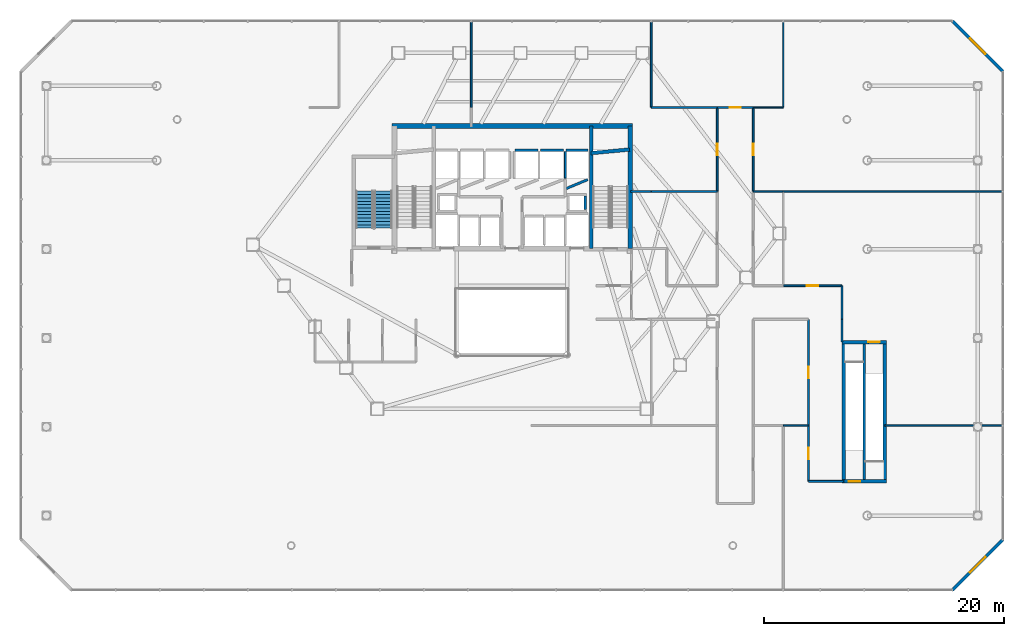
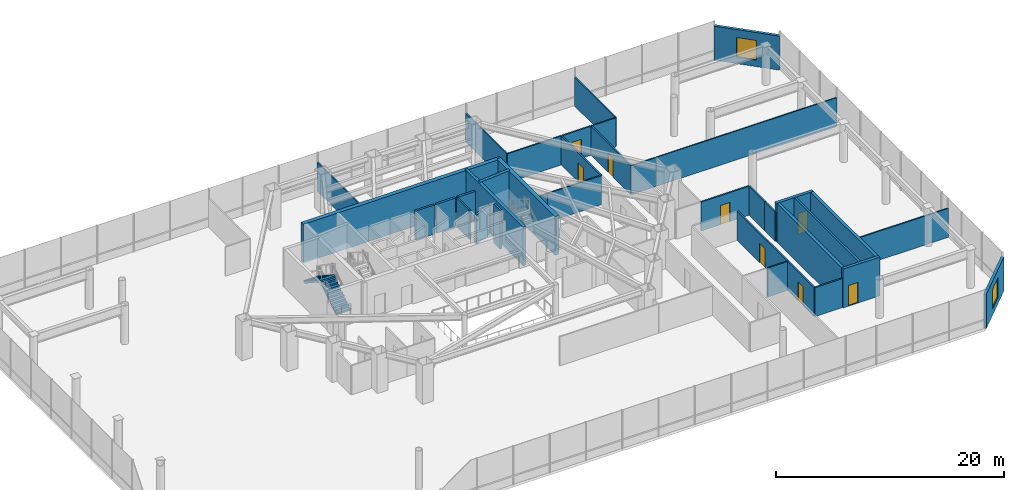
# One storey, part 40 of 43: 37 walls, 8 doors, 2 stair flights, 2 windows, 10 openings, 1 element without a shape of its own.
"""IFC4 building model written with IfcOpenShell, lengths in metres."""

import ifcopenshell
import ifcopenshell.guid

model = None  # the IFC model being written
_history = None  # IfcOwnerHistory: only IFC2X3 demands one
_inside = {}  # id of a spatial element -> (the spatial element, [elements in it])
_under = {}  # id of a project, library or spatial element -> (it, [spatial elements below it])
_declared = {}  # id of a project -> (the project, [libraries it declares])
_typed = {}  # id of a type object -> (the type object, [elements of that type])
_made_of = {}  # id of a material, layer set ... -> (it, [elements and type objects made of it])


def new_model(schema):
    """Start an empty IFC model of exactly this schema.

    Asked for "IFC4X3", IfcOpenShell would pick the latest addendum, in which some entities
    have other attributes; the version numbers below select the first issue.
    IFC2X3 requires an IfcOwnerHistory on every rooted entity: one is made here for all.
    """
    global model, _history
    if schema == "IFC4X3":
        model = ifcopenshell.file(schema_version=(4, 3, 0, 0))
    else:
        model = ifcopenshell.file(schema=schema)
    _inside.clear()
    _under.clear()
    _declared.clear()
    _typed.clear()
    _made_of.clear()
    _history = None
    if model.schema == "IFC2X3":
        org = make("IfcOrganization", Name="unknown")
        user = make(
            "IfcPersonAndOrganization",
            ThePerson=make("IfcPerson", FamilyName="unknown"),
            TheOrganization=org,
        )
        app = make(
            "IfcApplication",
            ApplicationDeveloper=org,
            Version="unknown",
            ApplicationFullName="unknown",
            ApplicationIdentifier="unknown",
        )
        _history = make(
            "IfcOwnerHistory",
            OwningUser=user,
            OwningApplication=app,
            ChangeAction="ADDED",
            CreationDate=0,
        )
    return model


def make(cls, **values):
    """One entity of the class cls with the attributes given. An attribute that is None is left unset."""
    return model.create_entity(
        cls, **{name: value for name, value in values.items() if value is not None}
    )


def rooted(cls, **values):
    """An entity with a GlobalId (a new one), such as an element, a storey or a relation."""
    return make(cls, GlobalId=ifcopenshell.guid.new(), OwnerHistory=_history, **values)


def si_unit(unit_type, name, prefix=None):
    """IfcSIUnit, for example si_unit("LENGTHUNIT", "METRE", prefix="MILLI")."""
    return make("IfcSIUnit", UnitType=unit_type, Prefix=prefix, Name=name)


def assignment(units):
    """IfcUnitAssignment: the units of a project."""
    return None if units is None else make("IfcUnitAssignment", Units=units)


def point(xyz):
    """IfcCartesianPoint."""
    return None if xyz is None else make("IfcCartesianPoint", Coordinates=xyz)


def direction(xyz):
    """IfcDirection."""
    return None if xyz is None else make("IfcDirection", DirectionRatios=xyz)


def frame(location, z_axis=None, x_axis=None):
    """IfcAxis2Placement3D, a coordinate frame: its origin and axes. An axis left out is left unset."""
    return make(
        "IfcAxis2Placement3D",
        Location=point(location),
        Axis=direction(z_axis),
        RefDirection=direction(x_axis),
    )


def frame_2d(location, x_axis=None):
    """IfcAxis2Placement2D, a coordinate frame in the plane: its origin and x axis."""
    return make(
        "IfcAxis2Placement2D", Location=point(location), RefDirection=direction(x_axis)
    )


def origin():
    """The frame at (0, 0, 0) with its axes left unset."""
    return frame((0.0, 0.0, 0.0))


def place(relative_to, where):
    """IfcLocalPlacement: puts the frame where relative to a parent placement (None: the world)."""
    return make(
        "IfcLocalPlacement", PlacementRelTo=relative_to, RelativePlacement=where
    )


def context(
    kind, dimensions, precision=None, world=None, true_north=None, identifier=None
):
    """IfcGeometricRepresentationContext, for example the 3D "Model" context."""
    return make(
        "IfcGeometricRepresentationContext",
        ContextIdentifier=identifier,
        ContextType=kind,
        CoordinateSpaceDimension=dimensions,
        Precision=precision,
        WorldCoordinateSystem=world,
        TrueNorth=true_north,
    )


def subcontext(parent, identifier, kind, view, scale=None):
    """IfcGeometricRepresentationSubContext, for example "Body" below "Model"."""
    return make(
        "IfcGeometricRepresentationSubContext",
        ContextIdentifier=identifier,
        ContextType=kind,
        ParentContext=parent,
        TargetScale=scale,
        TargetView=view,
    )


def project(units=None, contexts=None):
    """IfcProject with its units and contexts."""
    return rooted(
        "IfcProject",
        Name="project",
        RepresentationContexts=contexts,
        UnitsInContext=assignment(units),
    )


def spatial(cls, under=None, at=None, **own):
    """A site, building, storey or space (cls), placed at a placement, below another one or the project."""
    s = rooted(cls, ObjectPlacement=at, **own)
    if under is not None:
        _under.setdefault(under.id(), (under, []))[1].append(s)
    return s


def polyline(points):
    """IfcPolyline through the points."""
    return make("IfcPolyline", Points=[point(p) for p in points])


def profile(cls, at=None, kind="AREA", **sizes):
    """A parametric profile (cls). Its sizes go by their IFC names, for example OverallWidth=200.0."""
    return make(cls, ProfileType=kind, Position=at, **sizes)


def rectangle(**sizes):
    """IfcRectangleProfileDef."""
    return profile("IfcRectangleProfileDef", **sizes)


def outline(outer, holes=None, kind="AREA"):
    """IfcArbitraryClosedProfileDef: a profile drawn as a closed curve; with holes, ...WithVoids."""
    if holes is None:
        return make("IfcArbitraryClosedProfileDef", ProfileType=kind, OuterCurve=outer)
    return make(
        "IfcArbitraryProfileDefWithVoids",
        ProfileType=kind,
        OuterCurve=outer,
        InnerCurves=holes,
    )


def extrude(swept, where, along, depth):
    """IfcExtrudedAreaSolid: the profile swept, set in the frame where, extruded along a direction by depth."""
    return make(
        "IfcExtrudedAreaSolid",
        SweptArea=swept,
        Position=where,
        ExtrudedDirection=direction(along),
        Depth=depth,
    )


def shape(context_of_items, identifier, shape_type, items):
    """IfcShapeRepresentation: the items that make up one representation, for example the "Body"."""
    return make(
        "IfcShapeRepresentation",
        ContextOfItems=context_of_items,
        RepresentationIdentifier=identifier,
        RepresentationType=shape_type,
        Items=items,
    )


def material(Name=None, Category=None):
    """IfcMaterial."""
    return make("IfcMaterial", Name=Name, Category=Category)


def layer(
    of_material, thickness, ventilated=None, Name=None, Category=None, Priority=None
):
    """IfcMaterialLayer: one layer of a wall or slab, of a material (None: an air gap)."""
    return make(
        "IfcMaterialLayer",
        Material=of_material,
        LayerThickness=thickness,
        IsVentilated=ventilated,
        Name=Name,
        Category=Category,
        Priority=Priority,
    )


def layer_set(layers, Name=None):
    """IfcMaterialLayerSet."""
    return make("IfcMaterialLayerSet", MaterialLayers=layers, LayerSetName=Name)


def made_of(thing, what):
    """Note that an element or type object is made of a material, layer set ...; save() writes the relation."""
    if what is not None:
        _made_of.setdefault(what.id(), (what, []))[1].append(thing)
    return thing


def type_object(cls, material=None, **own):
    """A type object (cls), such as IfcWallType, which elements share."""
    return made_of(rooted(cls, **own), material)


def element(
    cls,
    number,
    at=None,
    inside=None,
    cuts=None,
    type_object=None,
    material=None,
    context=None,
    identifier="Body",
    shape_type=None,
    held_by="IfcProductDefinitionShape",
    body=None,
    shapes=None,
    **own,
):
    """One element of the class cls, such as IfcWall. Its Tag is "e" and its number.

    at: its placement. inside: the storey or other place that contains it. cuts: it is an
    opening in that element (IfcRelVoidsElement). A single representation is given by context,
    identifier, shape_type and body (its items); several are given by shapes. held_by: the class
    of the entity that holds the representations. save() writes the other relations.
    """
    e = rooted(cls, Tag="e%d" % number, ObjectPlacement=at, **own)
    if body is not None:
        shapes = [shape(context, identifier, shape_type, body)]
    if shapes is not None:
        e.Representation = make(held_by, Representations=shapes)
    if inside is not None:
        _inside.setdefault(inside.id(), (inside, []))[1].append(e)
    if cuts is not None:
        rooted(
            "IfcRelVoidsElement", RelatingBuildingElement=cuts, RelatedOpeningElement=e
        )
    if type_object is not None:
        _typed.setdefault(type_object.id(), (type_object, []))[1].append(e)
    return made_of(e, material)


def fill(opening, filler):
    """IfcRelFillsElement: the door or window that sits in an opening."""
    return rooted(
        "IfcRelFillsElement",
        RelatingOpeningElement=opening,
        RelatedBuildingElement=filler,
    )


def aggregate(whole, parts):
    """IfcRelAggregates: a whole, such as a stair, and the parts it consists of."""
    return rooted("IfcRelAggregates", RelatingObject=whole, RelatedObjects=parts)


def save(model, path):
    """Write the relations noted so far, then the file.

    IfcRelAggregates (storeys below a building ...), IfcRelContainedInSpatialStructure (elements
    in a storey), IfcRelDefinesByType, IfcRelAssociatesMaterial and IfcRelDeclares: one each for
    every whole, place, type object, material and project.
    """
    for whole, parts in _under.values():
        aggregate(whole, parts)
    for where, things in _inside.values():
        rooted(
            "IfcRelContainedInSpatialStructure",
            RelatedElements=things,
            RelatingStructure=where,
        )
    for kind, things in _typed.values():
        rooted("IfcRelDefinesByType", RelatedObjects=things, RelatingType=kind)
    for what, things in _made_of.values():
        rooted("IfcRelAssociatesMaterial", RelatedObjects=things, RelatingMaterial=what)
    for by, libraries in _declared.values():
        rooted("IfcRelDeclares", RelatingContext=by, RelatedDefinitions=libraries)
    model.write(path)


model = new_model("IFC4")

# Units and contexts
model_context = context("Model", 3, precision=1e-05, world=origin(), true_north=direction((0.0, 1.0)))
body_context = subcontext(model_context, "Body", "Model", "MODEL_VIEW")
ifc_project = project(units=[si_unit("LENGTHUNIT", "METRE"), si_unit("AREAUNIT", "SQUARE_METRE"), si_unit("VOLUMEUNIT", "CUBIC_METRE"), si_unit("PLANEANGLEUNIT", "RADIAN"), si_unit("MASSUNIT", "GRAM", prefix="KILO")], contexts=[model_context])

# Site, building, storey
site_placement = place(None, origin())
site = spatial("IfcSite", under=ifc_project, at=site_placement, CompositionType="ELEMENT")
building_placement = place(site_placement, origin())
building = spatial("IfcBuilding", under=site, at=building_placement, Name="Zarrinselat Tower", CompositionType="ELEMENT")
storey_placement = place(building_placement, frame((0.0, 0.0, 5.10009765625)))
storey = spatial("IfcBuildingStorey", under=building, at=storey_placement, Name="L01", CompositionType="ELEMENT", Elevation=5.10009765625)

# Wall, opening, window
ifc_material_1 = material(Name="Honed Cream Travertine Stone", Category="masonry")
ifc_layer_1 = layer(ifc_material_1, 0.260009765625)
ifc_layer_set_1 = layer_set([ifc_layer_1], Name="Honed Cream Travertine Stone")
wall_type_1 = type_object("IfcWallType", Name="WAL-EXT-STONE-260", PredefinedType="STANDARD", material=ifc_layer_set_1)
wall_1_placement = place(storey_placement, frame((75.10009765625, 4.800048828125, 0.0), z_axis=(0.0, 0.0, 1.0), x_axis=(0.707106781187, 0.707106781187, 0.0)))
wall_1 = element("IfcWall", 1, at=wall_1_placement, inside=storey, type_object=wall_type_1, Name="L01 Chamfered Stone Corner Wall 1", PredefinedType="STANDARD", context=body_context, shape_type="SweptSolid", body=[
    extrude(rectangle(XDim=5.939697265625, YDim=0.260009765625, at=frame_2d((2.9697265625, 0.0))), origin(), (0.0, 0.0, 1.0), 3.64990234375),
])
opening_1_placement = place(wall_1_placement, frame((2.06982421875, 0.0, 0.699951171875)))
opening_1 = element("IfcOpeningElement", 2, at=opening_1_placement, cuts=wall_1, Name="Opening WN-2", PredefinedType="OPENING", context=body_context, shape_type="SweptSolid", body=[
    extrude(rectangle(XDim=1.800048828125, YDim=2.10009765625, at=frame_2d((0.89990234375, 1.050048828125))), frame((0.0, 0.139892578125, 0.0), z_axis=(0.0, -1.0, 0.0), x_axis=(1.0, 0.0, 0.0)), (0.0, 0.0, 1.0), 0.280029296875),
])
ifc_material_2 = material(Name="Double Low-E Laminated Solar Glass", Category="glass")
window_type = type_object("IfcWindowType", Name="WIN-GALLERY-1800", PartitioningType="SINGLE_PANEL", PredefinedType="WINDOW", material=ifc_material_2)
window_1_placement = place(opening_1_placement, origin())
window_1 = element("IfcWindow", 3, at=window_1_placement, inside=storey, type_object=window_type, Name="L01 Corner Gallery Window 1", OverallHeight=2.10009765625, OverallWidth=1.800048828125, PartitioningType="SINGLE_PANEL", PredefinedType="WINDOW", context=body_context, shape_type="SweptSolid", body=[
    extrude(rectangle(XDim=1.800048828125, YDim=2.10009765625, at=frame_2d((0.89990234375, 1.050048828125))), frame((0.0, 0.030029296875, 0.0), z_axis=(0.0, -1.0, 0.0), x_axis=(1.0, 0.0, 0.0)), (0.0, 0.0, 1.0), 0.06005859375),
])
fill(opening_1, window_1)

wall_2_placement = place(storey_placement, frame((75.10009765625, 52.199951171875, 0.0), z_axis=(0.0, 0.0, 1.0), x_axis=(0.707106781187, -0.707106781187, 0.0)))
wall_2 = element("IfcWall", 4, at=wall_2_placement, inside=storey, type_object=wall_type_1, Name="L01 Chamfered Stone Corner Wall 3", PredefinedType="STANDARD", context=body_context, shape_type="SweptSolid", body=[
    extrude(rectangle(XDim=5.939697265625, YDim=0.260009765625, at=frame_2d((2.9697265625, 0.0))), origin(), (0.0, 0.0, 1.0), 3.64990234375),
])
opening_2_placement = place(wall_2_placement, frame((2.06982421875, 0.0, 0.699951171875)))
opening_2 = element("IfcOpeningElement", 5, at=opening_2_placement, cuts=wall_2, Name="Opening WN-2", PredefinedType="OPENING", context=body_context, shape_type="SweptSolid", body=[
    extrude(rectangle(XDim=1.800048828125, YDim=2.10009765625, at=frame_2d((0.89990234375, 1.050048828125))), frame((0.0, 0.139892578125, 0.0), z_axis=(0.0, -1.0, 0.0), x_axis=(1.0, 0.0, 0.0)), (0.0, 0.0, 1.0), 0.280029296875),
])
window_2_placement = place(opening_2_placement, origin())
window_2 = element("IfcWindow", 6, at=window_2_placement, inside=storey, type_object=window_type, Name="L01 Corner Gallery Window 3", OverallHeight=2.10009765625, OverallWidth=1.800048828125, PartitioningType="SINGLE_PANEL", PredefinedType="WINDOW", context=body_context, shape_type="SweptSolid", body=[
    extrude(rectangle(XDim=1.800048828125, YDim=2.10009765625, at=frame_2d((0.89990234375, 1.050048828125))), frame((0.0, 0.030029296875, 0.0), z_axis=(0.0, -1.0, 0.0), x_axis=(1.0, 0.0, 0.0)), (0.0, 0.0, 1.0), 0.06005859375),
])
fill(opening_2, window_2)

# Wall, opening, door
ifc_material_3 = material(Name="Fire-Rated Gypsum Board Partition", Category="gypsum")
ifc_layer_2 = layer(ifc_material_3, 0.14990234375)
ifc_layer_set_2 = layer_set([ifc_layer_2], Name="Fire-Rated Gypsum Board Partition")
wall_type_2 = type_object("IfcWallType", Name="WAL-PART-EI60", PredefinedType="PARTITIONING", material=ifc_layer_set_2)
wall_3_placement = place(storey_placement, frame((63.10009765625, 13.8701171875, 0.0), z_axis=(0.0, 0.0, 1.0), x_axis=(0.0, 1.0, 0.0)))
wall_3 = element("IfcWall", 7, at=wall_3_placement, inside=storey, type_object=wall_type_2, Name="L01 Partition Wall 15", PredefinedType="PARTITIONING", context=body_context, shape_type="SweptSolid", body=[
    extrude(rectangle(XDim=4.625, YDim=0.14990234375, at=frame_2d((2.3125, 0.0))), origin(), (0.0, 0.0, 1.0), 3.096923828125),
])
opening_3_placement = place(wall_3_placement, frame((1.842529296875, 0.0, 0.0)))
opening_3 = element("IfcOpeningElement", 8, at=opening_3_placement, cuts=wall_3, Name="Opening ID-04", PredefinedType="OPENING", context=body_context, shape_type="SweptSolid", body=[
    extrude(rectangle(XDim=0.93994140625, YDim=2.050048828125, at=frame_2d((0.469970703125, 1.02490234375))), frame((0.0, 0.0849609375, 0.0), z_axis=(0.0, -1.0, 0.0), x_axis=(1.0, 0.0, 0.0)), (0.0, 0.0, 1.0), 0.169921875),
])
ifc_material_4 = material(Name="Fire-Rated Gypsum Board Partition")
door_type_1 = type_object("IfcDoorType", Name="DR-INT-FD30-ENT", OperationType="NOTDEFINED", PredefinedType="DOOR", material=ifc_material_4)
door_1_placement = place(opening_3_placement, origin())
door_1 = element("IfcDoor", 9, at=door_1_placement, inside=storey, type_object=door_type_1, Name="L01 Interior Door P15", OperationType="SINGLE_SWING_LEFT", OverallHeight=2.050048828125, OverallWidth=0.93994140625, PredefinedType="DOOR", context=body_context, shape_type="SweptSolid", body=[
    extrude(rectangle(XDim=0.93994140625, YDim=2.050048828125, at=frame_2d((0.469970703125, 1.02490234375))), frame((0.0, 0.02490234375, 0.0), z_axis=(0.0, -1.0, 0.0), x_axis=(1.0, 0.0, 0.0)), (0.0, 0.0, 1.0), 0.050048828125),
])
fill(opening_3, door_1)

# Wall
wall_4_placement = place(storey_placement, frame((63.1201171875, 13.85009765625, 0.0), z_axis=(0.0, 0.0, 1.0), x_axis=(1.0, 0.0, 0.0)))
element("IfcWall", 10, at=wall_4_placement, inside=storey, type_object=wall_type_2, Name="L01 Partition Wall 16", PredefinedType="PARTITIONING", context=body_context, shape_type="SweptSolid", body=[
    extrude(rectangle(XDim=2.914794921875, YDim=0.14990234375, at=frame_2d((1.45751953125, 0.0))), origin(), (0.0, 0.0, 1.0), 3.096923828125),
])

# Wall, opening, door
wall_5_placement = place(storey_placement, frame((63.10009765625, 18.5048828125, 0.0), z_axis=(0.0, 0.0, 1.0), x_axis=(0.0, 1.0, 0.0)))
wall_5 = element("IfcWall", 11, at=wall_5_placement, inside=storey, type_object=wall_type_2, Name="L01 Partition Wall 20", PredefinedType="PARTITIONING", context=body_context, shape_type="SweptSolid", body=[
    extrude(rectangle(XDim=8.8251953125, YDim=0.14990234375, at=frame_2d((4.41259765625, 0.0))), origin(), (0.0, 0.0, 1.0), 3.096923828125),
])
opening_4_placement = place(wall_5_placement, frame((3.9423828125, 0.0, 0.0)))
opening_4 = element("IfcOpeningElement", 12, at=opening_4_placement, cuts=wall_5, Name="Opening ID-04", PredefinedType="OPENING", context=body_context, shape_type="SweptSolid", body=[
    extrude(rectangle(XDim=0.93994140625, YDim=2.050048828125, at=frame_2d((0.469970703125, 1.02490234375))), frame((0.0, 0.0849609375, 0.0), z_axis=(0.0, -1.0, 0.0), x_axis=(1.0, 0.0, 0.0)), (0.0, 0.0, 1.0), 0.169921875),
])
door_2_placement = place(opening_4_placement, origin())
door_2 = element("IfcDoor", 13, at=door_2_placement, inside=storey, type_object=door_type_1, Name="L01 Interior Door P20", OperationType="SINGLE_SWING_RIGHT", OverallHeight=2.050048828125, OverallWidth=0.93994140625, PredefinedType="DOOR", context=body_context, shape_type="SweptSolid", body=[
    extrude(rectangle(XDim=0.93994140625, YDim=2.050048828125, at=frame_2d((0.469970703125, 1.02490234375))), frame((0.0, 0.02490234375, 0.0), z_axis=(0.0, -1.0, 0.0), x_axis=(1.0, 0.0, 0.0)), (0.0, 0.0, 1.0), 0.050048828125),
])
fill(opening_4, door_2)

wall_6_placement = place(storey_placement, frame((61.0048828125, 30.14990234375, 0.0), z_axis=(0.0, 0.0, 1.0), x_axis=(1.0, 0.0, 0.0)))
wall_6 = element("IfcWall", 14, at=wall_6_placement, inside=storey, type_object=wall_type_2, Name="L01 Partition Wall 23", PredefinedType="PARTITIONING", context=body_context, shape_type="SweptSolid", body=[
    extrude(rectangle(XDim=4.875, YDim=0.14990234375, at=frame_2d((2.4375, 0.0))), origin(), (0.0, 0.0, 1.0), 3.096923828125),
])
opening_5_placement = place(wall_6_placement, frame((1.967529296875, 0.0, 0.0)))
opening_5 = element("IfcOpeningElement", 15, at=opening_5_placement, cuts=wall_6, Name="Opening ID-04", PredefinedType="OPENING", context=body_context, shape_type="SweptSolid", body=[
    extrude(rectangle(XDim=0.93994140625, YDim=2.050048828125, at=frame_2d((0.469970703125, 1.02490234375))), frame((0.0, 0.0849609375, 0.0), z_axis=(0.0, -1.0, 0.0), x_axis=(1.0, 0.0, 0.0)), (0.0, 0.0, 1.0), 0.169921875),
])
door_3_placement = place(opening_5_placement, origin())
door_3 = element("IfcDoor", 16, at=door_3_placement, inside=storey, type_object=door_type_1, Name="L01 Interior Door P23", OperationType="SINGLE_SWING_LEFT", OverallHeight=2.050048828125, OverallWidth=0.93994140625, PredefinedType="DOOR", context=body_context, shape_type="SweptSolid", body=[
    extrude(rectangle(XDim=0.93994140625, YDim=2.050048828125, at=frame_2d((0.469970703125, 1.02490234375))), frame((0.0, 0.02490234375, 0.0), z_axis=(0.0, -1.0, 0.0), x_axis=(1.0, 0.0, 0.0)), (0.0, 0.0, 1.0), 0.050048828125),
])
fill(opening_5, door_3)

# Walls
wall_7_placement = place(storey_placement, frame((65.89990234375, 27.35009765625, 0.0), z_axis=(0.0, 0.0, 1.0), x_axis=(0.0, 1.0, 0.0)))
element("IfcWall", 17, at=wall_7_placement, inside=storey, type_object=wall_type_2, Name="L01 Partition Wall 24", PredefinedType="PARTITIONING", context=body_context, shape_type="SweptSolid", body=[
    extrude(rectangle(XDim=2.77978515625, YDim=0.14990234375, at=frame_2d((1.389892578125, 0.0))), origin(), (0.0, 0.0, 1.0), 3.096923828125),
])
wall_8_placement = place(storey_placement, frame((65.89990234375, 25.469970703125, 0.0), z_axis=(0.0, 0.0, 1.0), x_axis=(0.0, 1.0, 0.0)))
element("IfcWall", 18, at=wall_8_placement, inside=storey, type_object=wall_type_2, Name="L01 Partition Wall 25", PredefinedType="PARTITIONING", context=body_context, shape_type="SweptSolid", body=[
    extrude(rectangle(XDim=1.880126953125, YDim=0.14990234375, at=frame_2d((0.93994140625, 0.0))), origin(), (0.0, 0.0, 1.0), 3.096923828125),
])

# Wall, opening, door
wall_9_placement = place(storey_placement, frame((55.5, 38.0048828125, 0.0), z_axis=(0.0, 0.0, 1.0), x_axis=(0.0, 1.0, 0.0)))
wall_9 = element("IfcWall", 19, at=wall_9_placement, inside=storey, type_object=wall_type_2, Name="L01 Partition Wall 32", PredefinedType="PARTITIONING", context=body_context, shape_type="SweptSolid", body=[
    extrude(rectangle(XDim=6.97509765625, YDim=0.14990234375, at=frame_2d((3.487548828125, 0.0))), origin(), (0.0, 0.0, 1.0), 3.096923828125),
])
opening_6_placement = place(wall_9_placement, frame((3.017578125, 0.0, 0.0)))
opening_6 = element("IfcOpeningElement", 20, at=opening_6_placement, cuts=wall_9, Name="Opening ID-04", PredefinedType="OPENING", context=body_context, shape_type="SweptSolid", body=[
    extrude(rectangle(XDim=0.93994140625, YDim=2.050048828125, at=frame_2d((0.469970703125, 1.02490234375))), frame((0.0, 0.0849609375, 0.0), z_axis=(0.0, -1.0, 0.0), x_axis=(1.0, 0.0, 0.0)), (0.0, 0.0, 1.0), 0.169921875),
])
door_4_placement = place(opening_6_placement, origin())
door_4 = element("IfcDoor", 21, at=door_4_placement, inside=storey, type_object=door_type_1, Name="L01 Interior Door P32", OperationType="SINGLE_SWING_RIGHT", OverallHeight=2.050048828125, OverallWidth=0.93994140625, PredefinedType="DOOR", context=body_context, shape_type="SweptSolid", body=[
    extrude(rectangle(XDim=0.93994140625, YDim=2.050048828125, at=frame_2d((0.469970703125, 1.02490234375))), frame((0.0, 0.02490234375, 0.0), z_axis=(0.0, -1.0, 0.0), x_axis=(1.0, 0.0, 0.0)), (0.0, 0.0, 1.0), 0.050048828125),
])
fill(opening_6, door_4)

wall_10_placement = place(storey_placement, frame((58.5, 38.0048828125, 0.0), z_axis=(0.0, 0.0, 1.0), x_axis=(0.0, 1.0, 0.0)))
wall_10 = element("IfcWall", 22, at=wall_10_placement, inside=storey, type_object=wall_type_2, Name="L01 Partition Wall 33", PredefinedType="PARTITIONING", context=body_context, shape_type="SweptSolid", body=[
    extrude(rectangle(XDim=6.97509765625, YDim=0.14990234375, at=frame_2d((3.487548828125, 0.0))), origin(), (0.0, 0.0, 1.0), 3.096923828125),
])
opening_7_placement = place(wall_10_placement, frame((3.017578125, 0.0, 0.0)))
opening_7 = element("IfcOpeningElement", 23, at=opening_7_placement, cuts=wall_10, Name="Opening ID-04", PredefinedType="OPENING", context=body_context, shape_type="SweptSolid", body=[
    extrude(rectangle(XDim=0.93994140625, YDim=2.050048828125, at=frame_2d((0.469970703125, 1.02490234375))), frame((0.0, 0.0849609375, 0.0), z_axis=(0.0, -1.0, 0.0), x_axis=(1.0, 0.0, 0.0)), (0.0, 0.0, 1.0), 0.169921875),
])
door_5_placement = place(opening_7_placement, origin())
door_5 = element("IfcDoor", 24, at=door_5_placement, inside=storey, type_object=door_type_1, Name="L01 Interior Door P33", OperationType="SINGLE_SWING_LEFT", OverallHeight=2.050048828125, OverallWidth=0.93994140625, PredefinedType="DOOR", context=body_context, shape_type="SweptSolid", body=[
    extrude(rectangle(XDim=0.93994140625, YDim=2.050048828125, at=frame_2d((0.469970703125, 1.02490234375))), frame((0.0, 0.02490234375, 0.0), z_axis=(0.0, -1.0, 0.0), x_axis=(1.0, 0.0, 0.0)), (0.0, 0.0, 1.0), 0.050048828125),
])
fill(opening_7, door_5)

wall_11_placement = place(storey_placement, frame((55.52001953125, 45.0, 0.0), z_axis=(0.0, 0.0, 1.0), x_axis=(1.0, 0.0, 0.0)))
wall_11 = element("IfcWall", 25, at=wall_11_placement, inside=storey, type_object=wall_type_2, Name="L01 Partition Wall 34", PredefinedType="PARTITIONING", context=body_context, shape_type="SweptSolid", body=[
    extrude(rectangle(XDim=2.9599609375, YDim=0.14990234375, at=frame_2d((1.47998046875, 0.0))), origin(), (0.0, 0.0, 1.0), 3.096923828125),
])
opening_8_placement = place(wall_11_placement, frame((1.010009765625, 0.0, 0.0)))
opening_8 = element("IfcOpeningElement", 26, at=opening_8_placement, cuts=wall_11, Name="Opening ID-04", PredefinedType="OPENING", context=body_context, shape_type="SweptSolid", body=[
    extrude(rectangle(XDim=0.93994140625, YDim=2.050048828125, at=frame_2d((0.469970703125, 1.02490234375))), frame((0.0, 0.0849609375, 0.0), z_axis=(0.0, -1.0, 0.0), x_axis=(1.0, 0.0, 0.0)), (0.0, 0.0, 1.0), 0.169921875),
])
door_6_placement = place(opening_8_placement, origin())
door_6 = element("IfcDoor", 27, at=door_6_placement, inside=storey, type_object=door_type_1, Name="L01 Interior Door P34", OperationType="SINGLE_SWING_RIGHT", OverallHeight=2.050048828125, OverallWidth=0.93994140625, PredefinedType="DOOR", context=body_context, shape_type="SweptSolid", body=[
    extrude(rectangle(XDim=0.93994140625, YDim=2.050048828125, at=frame_2d((0.469970703125, 1.02490234375))), frame((0.0, 0.02490234375, 0.0), z_axis=(0.0, -1.0, 0.0), x_axis=(1.0, 0.0, 0.0)), (0.0, 0.0, 1.0), 0.050048828125),
])
fill(opening_8, door_6)

# Walls
ifc_material_5 = material(Name="Fire-Rated Gypsum Board Partition", Category="gypsum")
ifc_layer_3 = layer(ifc_material_5, 0.1201171875)
ifc_layer_set_3 = layer_set([ifc_layer_3], Name="Fire-Rated Gypsum Board Partition")
wall_type_3 = type_object("IfcWallType", Name="WAL-PART-STD", PredefinedType="PARTITIONING", material=ifc_layer_set_3)
wall_12_placement = place(storey_placement, frame((61.02001953125, 38.0, 0.0), z_axis=(0.0, 0.0, 1.0), x_axis=(1.0, 0.0, 0.0)))
element("IfcWall", 28, at=wall_12_placement, inside=storey, type_object=wall_type_3, Name="L01 Partition Wall 52", PredefinedType="PARTITIONING", context=body_context, shape_type="SweptSolid", body=[
    extrude(rectangle(XDim=18.264892578125, YDim=0.1201171875, at=frame_2d((9.13232421875, 0.0))), origin(), (0.0, 0.0, 1.0), 3.096923828125),
])
for number, where, z_axis, x_axis, name in (
    (29, (58.52001953125, 38.0, 0.0), (0.0, 0.0, 1.0), (1.0, 0.0, 0.0), "L01 Partition Wall 55"),
    (30, (58.52001953125, 45.0, 0.0), (0.0, 0.0, 1.0), (1.0, 0.0, 0.0), "L01 Partition Wall 60"),
):
    element("IfcWall", number, at=place(storey_placement, frame(where, z_axis=z_axis, x_axis=x_axis)), inside=storey, type_object=wall_type_3, Name=name, PredefinedType="PARTITIONING", context=body_context, shape_type="SweptSolid", body=[
        extrude(rectangle(XDim=2.4599609375, YDim=0.1201171875, at=frame_2d((1.22998046875, 0.0))), origin(), (0.0, 0.0, 1.0), 3.096923828125),
    ])
wall_13_placement = place(storey_placement, frame((61.0, 45.02001953125, 0.0), z_axis=(0.0, 0.0, 1.0), x_axis=(0.0, 1.0, 0.0)))
element("IfcWall", 31, at=wall_13_placement, inside=storey, type_object=wall_type_3, Name="L01 Partition Wall 61", PredefinedType="PARTITIONING", context=body_context, shape_type="SweptSolid", body=[
    extrude(rectangle(XDim=7.1650390625, YDim=0.1201171875, at=frame_2d((3.58251953125, 0.0))), origin(), (0.0, 0.0, 1.0), 3.096923828125),
])
ifc_material_6 = material(Name="Fire-Rated Gypsum Board Partition", Category="gypsum")
ifc_layer_4 = layer(ifc_material_6, 0.135009765625)
ifc_layer_set_4 = layer_set([ifc_layer_4], Name="Fire-Rated Gypsum Board Partition")
wall_type_4 = type_object("IfcWallType", Name="WAL-PART-WET", PredefinedType="PARTITIONING", material=ifc_layer_set_4)
wall_14_placement = place(storey_placement, frame((61.02001953125, 18.5, 0.0), z_axis=(0.0, 0.0, 1.0), x_axis=(1.0, 0.0, 0.0)))
element("IfcWall", 32, at=wall_14_placement, inside=storey, type_object=wall_type_4, Name="L01 Partition Wall 48", PredefinedType="PARTITIONING", context=body_context, shape_type="SweptSolid", body=[
    extrude(rectangle(XDim=2.06005859375, YDim=0.135009765625, at=frame_2d((1.030029296875, 0.0))), origin(), (0.0, 0.0, 1.0), 3.096923828125),
])
wall_15_placement = place(storey_placement, frame((69.465087890625, 18.5, 0.0), z_axis=(0.0, 0.0, 1.0), x_axis=(1.0, 0.0, 0.0)))
element("IfcWall", 33, at=wall_15_placement, inside=storey, type_object=wall_type_4, Name="L01 Partition Wall 49", PredefinedType="PARTITIONING", context=body_context, shape_type="SweptSolid", body=[
    extrude(rectangle(XDim=9.81982421875, YDim=0.135009765625, at=frame_2d((4.909912109375, 0.0))), origin(), (0.0, 0.0, 1.0), 3.096923828125),
])
wall_16_placement = place(storey_placement, frame((35.0, 45.0, 0.0), z_axis=(0.0, 0.0, 1.0), x_axis=(0.0, 1.0, 0.0)))
element("IfcWall", 34, at=wall_16_placement, inside=storey, type_object=wall_type_4, Name="L01 Partition Wall 53", PredefinedType="PARTITIONING", context=body_context, shape_type="SweptSolid", body=[
    extrude(rectangle(XDim=7.18505859375, YDim=0.135009765625, at=frame_2d((3.592529296875, 0.0))), origin(), (0.0, 0.0, 1.0), 3.096923828125),
])
wall_17_placement = place(storey_placement, frame((48.27490234375, 38.0, 0.0), z_axis=(0.0, 0.0, 1.0), x_axis=(1.0, 0.0, 0.0)))
element("IfcWall", 35, at=wall_17_placement, inside=storey, type_object=wall_type_4, Name="L01 Partition Wall 56", PredefinedType="PARTITIONING", context=body_context, shape_type="SweptSolid", body=[
    extrude(rectangle(XDim=1.72509765625, YDim=0.135009765625, at=frame_2d((0.862548828125, 0.0))), origin(), (0.0, 0.0, 1.0), 3.096923828125),
])
wall_18_placement = place(storey_placement, frame((50.0, 38.0, 0.0), z_axis=(0.0, 0.0, 1.0), x_axis=(1.0, 0.0, 0.0)))
element("IfcWall", 36, at=wall_18_placement, inside=storey, type_object=wall_type_4, Name="L01 Partition Wall 57", PredefinedType="PARTITIONING", context=body_context, shape_type="SweptSolid", body=[
    extrude(rectangle(XDim=5.47998046875, YDim=0.135009765625, at=frame_2d((2.739990234375, 0.0))), origin(), (0.0, 0.0, 1.0), 3.096923828125),
])
wall_19_placement = place(storey_placement, frame((50.0, 45.02001953125, 0.0), z_axis=(0.0, 0.0, 1.0), x_axis=(0.0, 1.0, 0.0)))
element("IfcWall", 37, at=wall_19_placement, inside=storey, type_object=wall_type_4, Name="L01 Partition Wall 58", PredefinedType="PARTITIONING", context=body_context, shape_type="SweptSolid", body=[
    extrude(rectangle(XDim=7.1650390625, YDim=0.135009765625, at=frame_2d((3.58251953125, 0.0))), origin(), (0.0, 0.0, 1.0), 3.096923828125),
])
wall_20_placement = place(storey_placement, frame((50.02001953125, 45.0, 0.0), z_axis=(0.0, 0.0, 1.0), x_axis=(1.0, 0.0, 0.0)))
element("IfcWall", 38, at=wall_20_placement, inside=storey, type_object=wall_type_4, Name="L01 Partition Wall 59", PredefinedType="PARTITIONING", context=body_context, shape_type="SweptSolid", body=[
    extrude(rectangle(XDim=5.4599609375, YDim=0.135009765625, at=frame_2d((2.72998046875, 0.0))), origin(), (0.0, 0.0, 1.0), 3.096923828125),
])
ifc_material_7 = material(Name="Concrete C40/50", Category="concrete")
ifc_layer_5 = layer(ifc_material_7, 0.2099609375)
ifc_layer_set_5 = layer_set([ifc_layer_5], Name="Concrete C40/50")
wall_type_5 = type_object("IfcWallType", Name="WAL-SHAFT-210", PredefinedType="SOLIDWALL", material=ifc_layer_set_5)
wall_21_placement = place(storey_placement, frame((42.919921875, 38.25, 0.0), z_axis=(0.0, 0.0, 1.0), x_axis=(0.9230806271, 0.384606494839, 0.0)))
element("IfcWall", 39, at=wall_21_placement, inside=storey, type_object=wall_type_5, Name="L01 Lift BSL2 Front Shaft Wall", PredefinedType="SOLIDWALL", context=body_context, shape_type="SweptSolid", body=[
    extrude(rectangle(XDim=1.949951171875, YDim=0.2099609375, at=frame_2d((0.97509765625, 0.0))), origin(), (0.0, 0.0, 1.0), 3.11181640625),
])
wall_22_placement = place(storey_placement, frame((42.919921875, 41.455078125, 0.0), z_axis=(0.0, 0.0, 1.0), x_axis=(1.0, 0.0, 0.0)))
element("IfcWall", 40, at=wall_22_placement, inside=storey, type_object=wall_type_5, Name="L01 Lift BSL2 Rear Shaft Wall", PredefinedType="SOLIDWALL", context=body_context, shape_type="SweptSolid", body=[
    extrude(rectangle(XDim=1.800048828125, YDim=0.2099609375, at=frame_2d((0.89990234375, 0.0))), origin(), (0.0, 0.0, 1.0), 3.11181640625),
])
wall_23_placement = place(storey_placement, frame((42.85009765625, 39.1201171875, 0.0), z_axis=(0.0, 0.0, 1.0), x_axis=(0.0, 1.0, 0.0)))
element("IfcWall", 41, at=wall_23_placement, inside=storey, type_object=wall_type_5, Name="L01 Lift BSL2 W Shaft Wall", PredefinedType="SOLIDWALL", context=body_context, shape_type="SweptSolid", body=[
    extrude(rectangle(XDim=2.2099609375, YDim=0.159912109375, at=frame_2d((1.10498046875, 0.0))), origin(), (0.0, 0.0, 1.0), 3.11181640625),
])
wall_24_placement = place(storey_placement, frame((38.669921875, 41.455078125, 0.0), z_axis=(0.0, 0.0, 1.0), x_axis=(1.0, 0.0, 0.0)))
element("IfcWall", 42, at=wall_24_placement, inside=storey, type_object=wall_type_5, Name="L01 Lift PL3 Rear Shaft Wall", PredefinedType="SOLIDWALL", context=body_context, shape_type="SweptSolid", body=[
    extrude(rectangle(XDim=1.91015625, YDim=0.2099609375, at=frame_2d((0.955078125, 0.0))), origin(), (0.0, 0.0, 1.0), 3.11181640625),
])
wall_25_placement = place(storey_placement, frame((40.77001953125, 41.455078125, 0.0), z_axis=(0.0, 0.0, 1.0), x_axis=(1.0, 0.0, 0.0)))
element("IfcWall", 43, at=wall_25_placement, inside=storey, type_object=wall_type_5, Name="L01 Lift PL4 Rear Shaft Wall", PredefinedType="SOLIDWALL", context=body_context, shape_type="SweptSolid", body=[
    extrude(rectangle(XDim=1.909912109375, YDim=0.2099609375, at=frame_2d((0.955078125, 0.0))), origin(), (0.0, 0.0, 1.0), 3.11181640625),
])
wall_26_placement = place(storey_placement, frame((44.485107421875, 36.485107421875, 0.0), z_axis=(0.0, 0.0, 1.0), x_axis=(0.0, 1.0, 0.0)))
element("IfcWall", 44, at=wall_26_placement, inside=storey, type_object=wall_type_5, Name="L01 Core Riser RSR-E E Shaft Wall", PredefinedType="SOLIDWALL", context=body_context, shape_type="SweptSolid", body=[
    extrude(rectangle(XDim=1.14990234375, YDim=0.2099609375, at=frame_2d((0.574951171875, 0.0))), origin(), (0.0, 0.0, 1.0), 4.139892578125),
])
ifc_material_8 = material(Name="Concrete C40/50", Category="concrete")
ifc_layer_6 = layer(ifc_material_8, 0.300048828125)
ifc_layer_set_6 = layer_set([ifc_layer_6], Name="Concrete C40/50")
wall_type_6 = type_object("IfcWallType", Name="WAL-SHEAR-300", PredefinedType="SHEAR", material=ifc_layer_set_6)
wall_27_placement = place(storey_placement, frame((44.989990234375, 33.25, 0.0), z_axis=(0.0, 0.0, 1.0), x_axis=(0.0, 1.0, 0.0)))
element("IfcWall", 45, at=wall_27_placement, inside=storey, type_object=wall_type_6, Name="L01 Core Shear Wall ST2W", PredefinedType="SHEAR", context=body_context, shape_type="SweptSolid", body=[
    extrude(rectangle(XDim=10.199951171875, YDim=0.300048828125, at=frame_2d((5.10009765625, 0.0))), origin(), (0.0, 0.0, 1.0), 4.139892578125),
])
wall_28_placement = place(storey_placement, frame((44.97998046875, 41.199951171875, 0.0), z_axis=(0.0, 0.0, 1.0), x_axis=(0.995686468965, 0.09278176286, 0.0)))
element("IfcWall", 46, at=wall_28_placement, inside=storey, type_object=wall_type_6, Name="L01 Stair 2 North Shaft Wall", PredefinedType="SHEAR", context=body_context, shape_type="SweptSolid", body=[
    extrude(rectangle(XDim=3.23388671875, YDim=0.300048828125, at=frame_2d((1.616943359375, 0.0))), origin(), (0.0, 0.0, 1.0), 4.139892578125),
])

# Wall, opening, door
wall_29_placement = place(storey_placement, frame((65.89990234375, 25.449951171875, 0.0), z_axis=(0.0, 0.0, 1.0), x_axis=(1.0, 0.0, 0.0)))
wall_29 = element("IfcWall", 47, at=wall_29_placement, inside=storey, type_object=wall_type_6, Name="L01 Stair 4 North Shear Wall", PredefinedType="SHEAR", context=body_context, shape_type="SweptSolid", body=[
    extrude(rectangle(XDim=3.7001953125, YDim=0.300048828125, at=frame_2d((1.85009765625, 0.0))), origin(), (0.0, 0.0, 1.0), 4.139892578125),
])
opening_9_placement = place(wall_29_placement, frame((2.199951171875, 0.0, 0.0)))
opening_9 = element("IfcOpeningElement", 48, at=opening_9_placement, cuts=wall_29, Name="Opening SD-02", PredefinedType="OPENING", context=body_context, shape_type="SweptSolid", body=[
    extrude(rectangle(XDim=0.949951171875, YDim=2.199951171875, at=frame_2d((0.47509765625, 1.10009765625))), frame((0.0, 0.159912109375, 0.0), z_axis=(0.0, -1.0, 0.0), x_axis=(1.0, 0.0, 0.0)), (0.0, 0.0, 1.0), 0.320068359375),
])
ifc_material_9 = material(Name="Steel S355J2", Category="steel")
door_type_2 = type_object("IfcDoorType", Name="DR-STAIR-1050", OperationType="NOTDEFINED", PredefinedType="DOOR", material=ifc_material_9)
door_7_placement = place(opening_9_placement, origin())
door_7 = element("IfcDoor", 49, at=door_7_placement, inside=storey, type_object=door_type_2, Name="L01 Stair 4B Fire Door", OperationType="SINGLE_SWING_RIGHT", OverallHeight=2.199951171875, OverallWidth=0.949951171875, PredefinedType="DOOR", context=body_context, shape_type="SweptSolid", body=[
    extrude(rectangle(XDim=0.949951171875, YDim=2.199951171875, at=frame_2d((0.47509765625, 1.10009765625))), frame((0.0, 0.02490234375, 0.0), z_axis=(0.0, -1.0, 0.0), x_axis=(1.0, 0.0, 0.0)), (0.0, 0.0, 1.0), 0.050048828125),
])
fill(opening_9, door_7)

wall_30_placement = place(storey_placement, frame((65.89990234375, 13.85009765625, 0.0), z_axis=(0.0, 0.0, 1.0), x_axis=(1.0, 0.0, 0.0)))
wall_30 = element("IfcWall", 50, at=wall_30_placement, inside=storey, type_object=wall_type_6, Name="L01 Stair 4 South Shear Wall", PredefinedType="SHEAR", context=body_context, shape_type="SweptSolid", body=[
    extrude(rectangle(XDim=3.7001953125, YDim=0.300048828125, at=frame_2d((1.85009765625, 0.0))), origin(), (0.0, 0.0, 1.0), 4.139892578125),
])
opening_10_placement = place(wall_30_placement, frame((0.550048828125, 0.0, 0.0)))
opening_10 = element("IfcOpeningElement", 51, at=opening_10_placement, cuts=wall_30, Name="Opening SD-02", PredefinedType="OPENING", context=body_context, shape_type="SweptSolid", body=[
    extrude(rectangle(XDim=0.949951171875, YDim=2.199951171875, at=frame_2d((0.47509765625, 1.10009765625))), frame((0.0, 0.159912109375, 0.0), z_axis=(0.0, -1.0, 0.0), x_axis=(1.0, 0.0, 0.0)), (0.0, 0.0, 1.0), 0.320068359375),
])
door_8_placement = place(opening_10_placement, origin())
door_8 = element("IfcDoor", 52, at=door_8_placement, inside=storey, type_object=door_type_2, Name="L01 Stair 4A Fire Door", OperationType="SINGLE_SWING_LEFT", OverallHeight=2.199951171875, OverallWidth=0.949951171875, PredefinedType="DOOR", context=body_context, shape_type="SweptSolid", body=[
    extrude(rectangle(XDim=0.949951171875, YDim=2.199951171875, at=frame_2d((0.47509765625, 1.10009765625))), frame((0.0, 0.02490234375, 0.0), z_axis=(0.0, -1.0, 0.0), x_axis=(1.0, 0.0, 0.0)), (0.0, 0.0, 1.0), 0.050048828125),
])
fill(opening_10, door_8)

# Walls
for number, where, z_axis, x_axis, name in (
    (53, (66.050048828125, 13.85009765625, 0.0), (0.0, 0.0, 1.0), (0.0, 1.0, 0.0), "L01 Stair 4 West Shear Wall"),
    (54, (69.449951171875, 13.85009765625, 0.0), (0.0, 0.0, 1.0), (0.0, 1.0, 0.0), "L01 Stair 4 East Shear Wall"),
):
    element("IfcWall", number, at=place(storey_placement, frame(where, z_axis=z_axis, x_axis=x_axis)), inside=storey, type_object=wall_type_6, Name=name, PredefinedType="SHEAR", context=body_context, shape_type="SweptSolid", body=[
        extrude(rectangle(XDim=11.599853515625, YDim=0.300048828125, at=frame_2d((5.7998046875, 0.0))), origin(), (0.0, 0.0, 1.0), 4.139892578125),
    ])
wall_31_placement = place(storey_placement, frame((67.75, 14.0, 0.0), z_axis=(0.0, 0.0, 1.0), x_axis=(0.0, 1.0, 0.0)))
element("IfcWall", 55, at=wall_31_placement, inside=storey, type_object=wall_type_6, Name="L01 Stair 4 Scissor Dividing Wall", PredefinedType="SHEAR", context=body_context, shape_type="SweptSolid", body=[
    extrude(rectangle(XDim=11.300048828125, YDim=0.199951171875, at=frame_2d((5.64990234375, 0.0))), origin(), (0.0, 0.0, 1.0), 4.139892578125),
])
ifc_material_10 = material(Name="Concrete C60/75", Category="concrete")
ifc_layer_7 = layer(ifc_material_10, 0.39990234375)
ifc_layer_set_7 = layer_set([ifc_layer_7], Name="Concrete C60/75")
wall_type_7 = type_object("IfcWallType", Name="WAL-SHEAR-400", PredefinedType="SHEAR", material=ifc_layer_set_7)
wall_32_placement = place(storey_placement, frame((28.39990234375, 43.449951171875, 0.0), z_axis=(0.0, 0.0, 1.0), x_axis=(1.0, 0.0, 0.0)))
element("IfcWall", 56, at=wall_32_placement, inside=storey, type_object=wall_type_7, Name="L01 North Core Shear Wall", PredefinedType="SHEAR", context=body_context, shape_type="SweptSolid", body=[
    extrude(rectangle(XDim=20.06005859375, YDim=0.39990234375, at=frame_2d((10.030029296875, 0.0))), origin(), (0.0, 0.0, 1.0), 4.139892578125),
])
wall_33_placement = place(storey_placement, frame((48.260009765625, 33.25, 0.0), z_axis=(0.0, 0.0, 1.0), x_axis=(0.0, 1.0, 0.0)))
element("IfcWall", 57, at=wall_33_placement, inside=storey, type_object=wall_type_7, Name="L01 Core Shear Wall E", PredefinedType="SHEAR", context=body_context, shape_type="SweptSolid", body=[
    extrude(rectangle(XDim=10.199951171875, YDim=0.39990234375, at=frame_2d((5.10009765625, 0.0))), origin(), (0.0, 0.0, 1.0), 4.139892578125),
])

# Stair, stair flights
ifc_material_11 = material(Name="Concrete C40/50", Category="concrete")
stair_type = type_object("IfcStairType", Name="STR-CORE-145", PredefinedType="HALF_TURN_STAIR", material=ifc_material_11)
stair_placement = place(storey_placement, origin())
stair = element("IfcStair", 58, at=stair_placement, inside=storey, type_object=stair_type, Name="L01 Podium & Mid-Tower Exit Stair 3", PredefinedType="HALF_TURN_STAIR")
ifc_material_12 = material(Name="Concrete C40/50", Category="concrete")
stair_flight_type = type_object("IfcStairFlightType", Name="STR-FLT-145", PredefinedType="STRAIGHT", material=ifc_material_12)
stair_flight_1_placement = place(storey_placement, frame((27.675048828125, 34.949951171875, 0.0), z_axis=(0.0, 0.0, 1.0), x_axis=(0.0, 1.0, 0.0)))
stair_flight_1 = element("IfcStairFlight", 59, at=stair_flight_1_placement, type_object=stair_flight_type, Name="ST-3 flight 1", NumberOfRisers=12, NumberOfTreads=11, PredefinedType="STRAIGHT", RiserHeight=0.184166667, TreadLength=0.28, context=body_context, shape_type="SweptSolid", body=[
    extrude(outline(polyline([(0.0, 0.0), (0.0, 0.18408203125), (0.280029296875, 0.18408203125), (0.280029296875, 0.368408203125), (0.56005859375, 0.368408203125), (0.56005859375, 0.552490234375), (0.840087890625, 0.552490234375), (0.840087890625, 0.736572265625), (1.1201171875, 0.736572265625), (1.1201171875, 0.9208984375), (1.39990234375, 0.9208984375), (1.39990234375, 1.10498046875), (1.679931640625, 1.10498046875), (1.679931640625, 1.2890625), (1.9599609375, 1.2890625), (1.9599609375, 1.473388671875), (2.239990234375, 1.473388671875), (2.239990234375, 1.657470703125), (2.52001953125, 1.657470703125), (2.52001953125, 1.841552734375), (2.800048828125, 1.841552734375), (2.800048828125, 2.02587890625), (3.080078125, 2.02587890625), (3.080078125, 2.2099609375), (3.080078125, 1.846435546875), (0.272705078125, 0.0), (0.0, 0.0)])), frame((0.0, 0.72509765625, 0.0), z_axis=(0.0, -1.0, 0.0), x_axis=(1.0, 0.0, 0.0)), (0.0, 0.0, 1.0), 1.449951171875),
])
stair_flight_2_placement = place(storey_placement, frame((26.10498046875, 38.030029296875, 2.2099609375), z_axis=(0.0, 0.0, 1.0), x_axis=(0.0, -1.0, 0.0)))
stair_flight_2 = element("IfcStairFlight", 60, at=stair_flight_2_placement, type_object=stair_flight_type, Name="ST-3 flight 2", NumberOfRisers=12, NumberOfTreads=11, PredefinedType="STRAIGHT", RiserHeight=0.184166667, TreadLength=0.28, context=body_context, shape_type="SweptSolid", body=[
    extrude(outline(polyline([(0.0, 0.0), (0.0, 0.18408203125), (0.280029296875, 0.18408203125), (0.280029296875, 0.368408203125), (0.56005859375, 0.368408203125), (0.56005859375, 0.552490234375), (0.840087890625, 0.552490234375), (0.840087890625, 0.736572265625), (1.1201171875, 0.736572265625), (1.1201171875, 0.9208984375), (1.39990234375, 0.9208984375), (1.39990234375, 1.10498046875), (1.679931640625, 1.10498046875), (1.679931640625, 1.2890625), (1.9599609375, 1.2890625), (1.9599609375, 1.473388671875), (2.239990234375, 1.473388671875), (2.239990234375, 1.657470703125), (2.52001953125, 1.657470703125), (2.52001953125, 1.841552734375), (2.800048828125, 1.841552734375), (2.800048828125, 2.02587890625), (3.080078125, 2.02587890625), (3.080078125, 2.2099609375), (3.080078125, 1.846435546875), (0.272705078125, 0.0), (0.0, 0.0)])), frame((0.0, 0.72509765625, 0.0), z_axis=(0.0, -1.0, 0.0), x_axis=(1.0, 0.0, 0.0)), (0.0, 0.0, 1.0), 1.449951171875),
])
aggregate(stair, [stair_flight_1, stair_flight_2])

save(model, "model.ifc")
